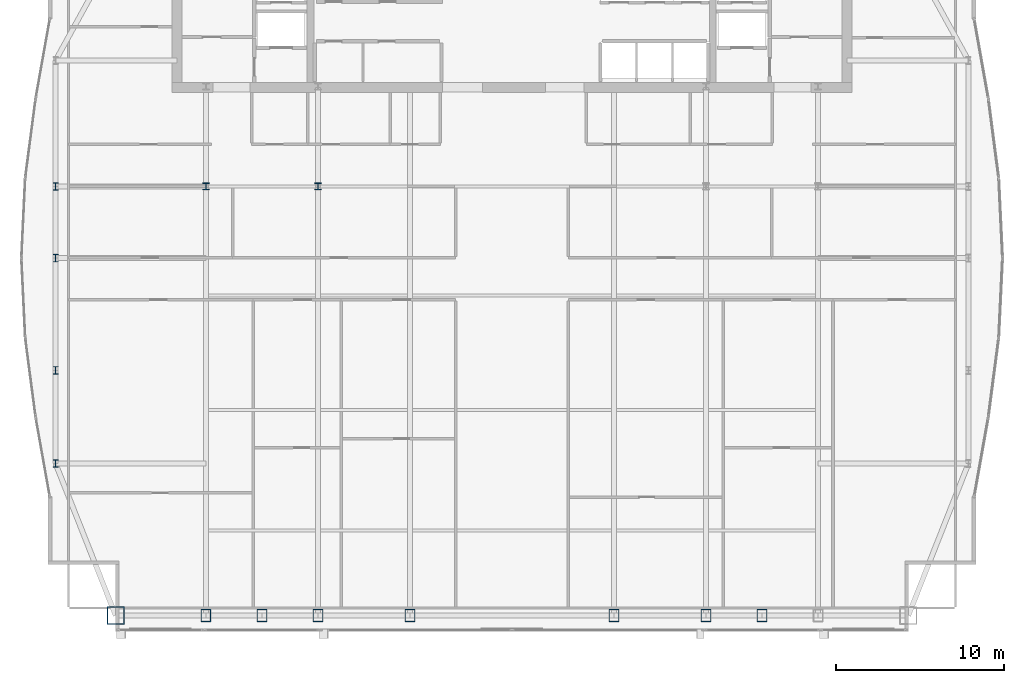
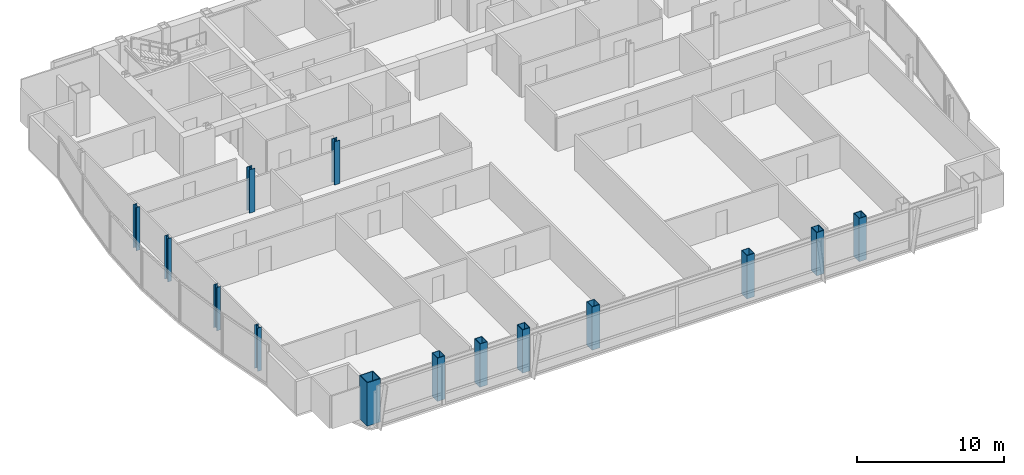
# One storey, part 1 of 30: 14 columns.
"""IFC4 building model written with IfcOpenShell, lengths in metres."""

import ifcopenshell
import ifcopenshell.guid

model = None  # the IFC model being written
_history = None  # IfcOwnerHistory: only IFC2X3 demands one
_inside = {}  # id of a spatial element -> (the spatial element, [elements in it])
_under = {}  # id of a project, library or spatial element -> (it, [spatial elements below it])
_declared = {}  # id of a project -> (the project, [libraries it declares])
_typed = {}  # id of a type object -> (the type object, [elements of that type])
_made_of = {}  # id of a material, layer set ... -> (it, [elements and type objects made of it])


def new_model(schema):
    """Start an empty IFC model of exactly this schema.

    Asked for "IFC4X3", IfcOpenShell would pick the latest addendum, in which some entities
    have other attributes; the version numbers below select the first issue.
    IFC2X3 requires an IfcOwnerHistory on every rooted entity: one is made here for all.
    """
    global model, _history
    if schema == "IFC4X3":
        model = ifcopenshell.file(schema_version=(4, 3, 0, 0))
    else:
        model = ifcopenshell.file(schema=schema)
    _inside.clear()
    _under.clear()
    _declared.clear()
    _typed.clear()
    _made_of.clear()
    _history = None
    if model.schema == "IFC2X3":
        org = make("IfcOrganization", Name="unknown")
        user = make(
            "IfcPersonAndOrganization",
            ThePerson=make("IfcPerson", FamilyName="unknown"),
            TheOrganization=org,
        )
        app = make(
            "IfcApplication",
            ApplicationDeveloper=org,
            Version="unknown",
            ApplicationFullName="unknown",
            ApplicationIdentifier="unknown",
        )
        _history = make(
            "IfcOwnerHistory",
            OwningUser=user,
            OwningApplication=app,
            ChangeAction="ADDED",
            CreationDate=0,
        )
    return model


def make(cls, **values):
    """One entity of the class cls with the attributes given. An attribute that is None is left unset."""
    return model.create_entity(
        cls, **{name: value for name, value in values.items() if value is not None}
    )


def rooted(cls, **values):
    """An entity with a GlobalId (a new one), such as an element, a storey or a relation."""
    return make(cls, GlobalId=ifcopenshell.guid.new(), OwnerHistory=_history, **values)


def si_unit(unit_type, name, prefix=None):
    """IfcSIUnit, for example si_unit("LENGTHUNIT", "METRE", prefix="MILLI")."""
    return make("IfcSIUnit", UnitType=unit_type, Prefix=prefix, Name=name)


def assignment(units):
    """IfcUnitAssignment: the units of a project."""
    return None if units is None else make("IfcUnitAssignment", Units=units)


def point(xyz):
    """IfcCartesianPoint."""
    return None if xyz is None else make("IfcCartesianPoint", Coordinates=xyz)


def direction(xyz):
    """IfcDirection."""
    return None if xyz is None else make("IfcDirection", DirectionRatios=xyz)


def frame(location, z_axis=None, x_axis=None):
    """IfcAxis2Placement3D, a coordinate frame: its origin and axes. An axis left out is left unset."""
    return make(
        "IfcAxis2Placement3D",
        Location=point(location),
        Axis=direction(z_axis),
        RefDirection=direction(x_axis),
    )


def frame_2d(location, x_axis=None):
    """IfcAxis2Placement2D, a coordinate frame in the plane: its origin and x axis."""
    return make(
        "IfcAxis2Placement2D", Location=point(location), RefDirection=direction(x_axis)
    )


def origin():
    """The frame at (0, 0, 0) with its axes left unset."""
    return frame((0.0, 0.0, 0.0))


def origin_2d():
    """The frame at (0, 0) in the plane with its x axis left unset."""
    return frame_2d((0.0, 0.0))


def place(relative_to, where):
    """IfcLocalPlacement: puts the frame where relative to a parent placement (None: the world)."""
    return make(
        "IfcLocalPlacement", PlacementRelTo=relative_to, RelativePlacement=where
    )


def context(
    kind, dimensions, precision=None, world=None, true_north=None, identifier=None
):
    """IfcGeometricRepresentationContext, for example the 3D "Model" context."""
    return make(
        "IfcGeometricRepresentationContext",
        ContextIdentifier=identifier,
        ContextType=kind,
        CoordinateSpaceDimension=dimensions,
        Precision=precision,
        WorldCoordinateSystem=world,
        TrueNorth=true_north,
    )


def subcontext(parent, identifier, kind, view, scale=None):
    """IfcGeometricRepresentationSubContext, for example "Body" below "Model"."""
    return make(
        "IfcGeometricRepresentationSubContext",
        ContextIdentifier=identifier,
        ContextType=kind,
        ParentContext=parent,
        TargetScale=scale,
        TargetView=view,
    )


def project(units=None, contexts=None):
    """IfcProject with its units and contexts."""
    return rooted(
        "IfcProject",
        Name="project",
        RepresentationContexts=contexts,
        UnitsInContext=assignment(units),
    )


def spatial(cls, under=None, at=None, **own):
    """A site, building, storey or space (cls), placed at a placement, below another one or the project."""
    s = rooted(cls, ObjectPlacement=at, **own)
    if under is not None:
        _under.setdefault(under.id(), (under, []))[1].append(s)
    return s


def profile(cls, at=None, kind="AREA", **sizes):
    """A parametric profile (cls). Its sizes go by their IFC names, for example OverallWidth=200.0."""
    return make(cls, ProfileType=kind, Position=at, **sizes)


def hollow_rectangle(**sizes):
    """IfcRectangleHollowProfileDef."""
    return profile("IfcRectangleHollowProfileDef", **sizes)


def i_section(**sizes):
    """IfcIShapeProfileDef."""
    return profile("IfcIShapeProfileDef", **sizes)


def extrude(swept, where, along, depth):
    """IfcExtrudedAreaSolid: the profile swept, set in the frame where, extruded along a direction by depth."""
    return make(
        "IfcExtrudedAreaSolid",
        SweptArea=swept,
        Position=where,
        ExtrudedDirection=direction(along),
        Depth=depth,
    )


def shape(context_of_items, identifier, shape_type, items):
    """IfcShapeRepresentation: the items that make up one representation, for example the "Body"."""
    return make(
        "IfcShapeRepresentation",
        ContextOfItems=context_of_items,
        RepresentationIdentifier=identifier,
        RepresentationType=shape_type,
        Items=items,
    )


def material(Name=None, Category=None):
    """IfcMaterial."""
    return make("IfcMaterial", Name=Name, Category=Category)


def material_profile(
    of_material, cross_section, Name=None, Category=None, Priority=None
):
    """IfcMaterialProfile: a cross section and its material."""
    return make(
        "IfcMaterialProfile",
        Name=Name,
        Material=of_material,
        Profile=cross_section,
        Priority=Priority,
        Category=Category,
    )


def profile_set(profiles, Name=None, composite=None):
    """IfcMaterialProfileSet."""
    return make(
        "IfcMaterialProfileSet",
        Name=Name,
        MaterialProfiles=profiles,
        CompositeProfile=composite,
    )


def made_of(thing, what):
    """Note that an element or type object is made of a material, layer set ...; save() writes the relation."""
    if what is not None:
        _made_of.setdefault(what.id(), (what, []))[1].append(thing)
    return thing


def type_object(cls, material=None, **own):
    """A type object (cls), such as IfcWallType, which elements share."""
    return made_of(rooted(cls, **own), material)


def element(
    cls,
    number,
    at=None,
    inside=None,
    cuts=None,
    type_object=None,
    material=None,
    context=None,
    identifier="Body",
    shape_type=None,
    held_by="IfcProductDefinitionShape",
    body=None,
    shapes=None,
    **own,
):
    """One element of the class cls, such as IfcWall. Its Tag is "e" and its number.

    at: its placement. inside: the storey or other place that contains it. cuts: it is an
    opening in that element (IfcRelVoidsElement). A single representation is given by context,
    identifier, shape_type and body (its items); several are given by shapes. held_by: the class
    of the entity that holds the representations. save() writes the other relations.
    """
    e = rooted(cls, Tag="e%d" % number, ObjectPlacement=at, **own)
    if body is not None:
        shapes = [shape(context, identifier, shape_type, body)]
    if shapes is not None:
        e.Representation = make(held_by, Representations=shapes)
    if inside is not None:
        _inside.setdefault(inside.id(), (inside, []))[1].append(e)
    if cuts is not None:
        rooted(
            "IfcRelVoidsElement", RelatingBuildingElement=cuts, RelatedOpeningElement=e
        )
    if type_object is not None:
        _typed.setdefault(type_object.id(), (type_object, []))[1].append(e)
    return made_of(e, material)


def aggregate(whole, parts):
    """IfcRelAggregates: a whole, such as a stair, and the parts it consists of."""
    return rooted("IfcRelAggregates", RelatingObject=whole, RelatedObjects=parts)


def save(model, path):
    """Write the relations noted so far, then the file.

    IfcRelAggregates (storeys below a building ...), IfcRelContainedInSpatialStructure (elements
    in a storey), IfcRelDefinesByType, IfcRelAssociatesMaterial and IfcRelDeclares: one each for
    every whole, place, type object, material and project.
    """
    for whole, parts in _under.values():
        aggregate(whole, parts)
    for where, things in _inside.values():
        rooted(
            "IfcRelContainedInSpatialStructure",
            RelatedElements=things,
            RelatingStructure=where,
        )
    for kind, things in _typed.values():
        rooted("IfcRelDefinesByType", RelatedObjects=things, RelatingType=kind)
    for what, things in _made_of.values():
        rooted("IfcRelAssociatesMaterial", RelatedObjects=things, RelatingMaterial=what)
    for by, libraries in _declared.values():
        rooted("IfcRelDeclares", RelatingContext=by, RelatedDefinitions=libraries)
    model.write(path)


model = new_model("IFC4")

# Units and contexts
model_context = context("Model", 3, precision=1e-05, world=origin(), true_north=direction((0.0, 1.0)))
body_context = subcontext(model_context, "Body", "Model", "MODEL_VIEW")
ifc_project = project(units=[si_unit("LENGTHUNIT", "METRE"), si_unit("AREAUNIT", "SQUARE_METRE"), si_unit("VOLUMEUNIT", "CUBIC_METRE"), si_unit("PLANEANGLEUNIT", "RADIAN"), si_unit("MASSUNIT", "GRAM", prefix="KILO")], contexts=[model_context])

# Site, building, storey
site_placement = place(None, origin())
site = spatial("IfcSite", under=ifc_project, at=site_placement, CompositionType="ELEMENT")
building_placement = place(site_placement, origin())
building = spatial("IfcBuilding", under=site, at=building_placement, Name="Khoronbel Lancet Exchange", CompositionType="ELEMENT")
storey_placement = place(building_placement, frame((0.0, 0.0, 253.39990234375)))
storey = spatial("IfcBuildingStorey", under=building, at=storey_placement, Name="L65", CompositionType="ELEMENT", Elevation=253.39990234375)

# Columns
ifc_material_1 = material(Name="Steel S460", Category="steel")
ifc_material_profile_1 = material_profile(ifc_material_1, hollow_rectangle(XDim=0.60009765625, YDim=0.75, WallThickness=0.044921875, at=origin_2d()), Name="BOX 750x600x45")
ifc_profile_set_1 = profile_set([ifc_material_profile_1], Name="Steel S460")
column_type_1 = type_object("IfcColumnType", Name="COL-EC3", PredefinedType="COLUMN", material=ifc_profile_set_1)
for number, where, z_axis, x_axis, name in (
    (1, (18.22509765625, 10.14990234375, 0.0), (0.0, 0.0, 1.0), (1.0, 0.0, 0.0), "Structural column SC-W1 L65"),
    (2, (21.5625, 10.14990234375, 0.0), (0.0, 0.0, 1.0), (1.0, 0.0, 0.0), "Structural column SC-WM L65"),
    (3, (24.89990234375, 10.14990234375, 0.0), (0.0, 0.0, 1.0), (1.0, 0.0, 0.0), "Structural column SC-W2 L65"),
    (4, (30.375, 10.14990234375, 0.0), (0.0, 0.0, 1.0), (1.0, 0.0, 0.0), "Structural column SC-C1 L65"),
    (5, (42.52490234375, 10.14990234375, 0.0), (0.0, 0.0, 1.0), (1.0, 0.0, 0.0), "Structural column SC-C2 L65"),
    (6, (48.0, 10.14990234375, 0.0), (0.0, 0.0, 1.0), (1.0, 0.0, 0.0), "Structural column SC-E1 L65"),
    (7, (51.33740234375, 10.14990234375, 0.0), (0.0, 0.0, 1.0), (1.0, 0.0, 0.0), "Structural column SC-EM L65"),
):
    element("IfcColumn", number, at=place(storey_placement, frame(where, z_axis=z_axis, x_axis=x_axis)), inside=storey, type_object=column_type_1, Name=name, PredefinedType="COLUMN", context=body_context, shape_type="SweptSolid", body=[
        extrude(hollow_rectangle(XDim=0.60009765625, YDim=0.75, WallThickness=0.044921875, at=origin_2d()), origin(), (0.0, 0.0, 1.0), 3.60009765625),
    ])
ifc_material_2 = material(Name="Steel S355", Category="steel")
ifc_material_profile_2 = material_profile(ifc_material_2, i_section(OverallWidth=0.406005859375, OverallDepth=0.416015625, WebThickness=0.02978515625, FlangeThickness=0.048095703125, at=origin_2d()), Name="HD 400x382")
ifc_profile_set_2 = profile_set([ifc_material_profile_2], Name="Steel S355")
column_type_2 = type_object("IfcColumnType", Name="COL-IC3", PredefinedType="COLUMN", material=ifc_profile_set_2)
for number, where, z_axis, x_axis, name in (
    (8, (18.22509765625, 35.699951171875, 0.0), (0.0, 0.0, 1.0), (1.0, 0.0, 0.0), "Spine gravity column TC1 L65"),
    (9, (24.89990234375, 35.699951171875, 0.0), (0.0, 0.0, 1.0), (1.0, 0.0, 0.0), "Spine gravity column TC2 L65"),
):
    element("IfcColumn", number, at=place(storey_placement, frame(where, z_axis=z_axis, x_axis=x_axis)), inside=storey, type_object=column_type_2, Name=name, PredefinedType="COLUMN", context=body_context, shape_type="SweptSolid", body=[
        extrude(i_section(OverallWidth=0.406005859375, OverallDepth=0.416015625, WebThickness=0.02978515625, FlangeThickness=0.048095703125, at=origin_2d()), origin(), (0.0, 0.0, 1.0), 3.60009765625),
    ])
ifc_material_profile_3 = material_profile(ifc_material_2, i_section(OverallWidth=0.300048828125, OverallDepth=0.449951171875, WebThickness=0.013916015625, FlangeThickness=0.02587890625, at=origin_2d()), Name="HEB 450")
ifc_profile_set_3 = profile_set([ifc_material_profile_3], Name="Steel S355")
column_type_3 = type_object("IfcColumnType", Name="COL-LC2", PredefinedType="COLUMN", material=ifc_profile_set_3)
for number, where, z_axis, x_axis, name in (
    (10, (9.27001953125, 19.199951171875, 0.0), (0.0, 0.0, 1.0), (1.0, 0.0, 0.0), "Structural column WC-1 L65"),
    (11, (9.27001953125, 24.75, 0.0), (0.0, 0.0, 1.0), (1.0, 0.0, 0.0), "Structural column WC-2 L65"),
    (12, (9.27001953125, 31.425048828125, 0.0), (0.0, 0.0, 1.0), (1.0, 0.0, 0.0), "Structural column WC-M L65"),
    (13, (9.27001953125, 35.699951171875, 0.0), (0.0, 0.0, 1.0), (1.0, 0.0, 0.0), "Structural column WC-3 L65"),
):
    element("IfcColumn", number, at=place(storey_placement, frame(where, z_axis=z_axis, x_axis=x_axis)), inside=storey, type_object=column_type_3, Name=name, PredefinedType="COLUMN", context=body_context, shape_type="SweptSolid", body=[
        extrude(i_section(OverallWidth=0.300048828125, OverallDepth=0.449951171875, WebThickness=0.013916015625, FlangeThickness=0.02587890625, at=origin_2d()), origin(), (0.0, 0.0, 1.0), 3.60009765625),
    ])
ifc_material_profile_4 = material_profile(ifc_material_1, hollow_rectangle(XDim=1.050048828125, YDim=1.050048828125, WallThickness=0.054931640625, at=origin_2d()), Name="BOX 1050x1050x55")
ifc_profile_set_4 = profile_set([ifc_material_profile_4], Name="Steel S460")
column_type_4 = type_object("IfcColumnType", Name="COL-MC6", PredefinedType="COLUMN", material=ifc_profile_set_4)
column_placement = place(storey_placement, frame((12.85009765625, 10.14990234375, 0.0), z_axis=(0.0, 0.0, 1.0), x_axis=(1.0, 0.0, 0.0)))
element("IfcColumn", 14, at=column_placement, inside=storey, type_object=column_type_4, Name="Structural column MC-SW L65", PredefinedType="COLUMN", context=body_context, shape_type="SweptSolid", body=[
    extrude(hollow_rectangle(XDim=1.050048828125, YDim=1.050048828125, WallThickness=0.054931640625, at=origin_2d()), origin(), (0.0, 0.0, 1.0), 3.60009765625),
])

save(model, "model.ifc")
